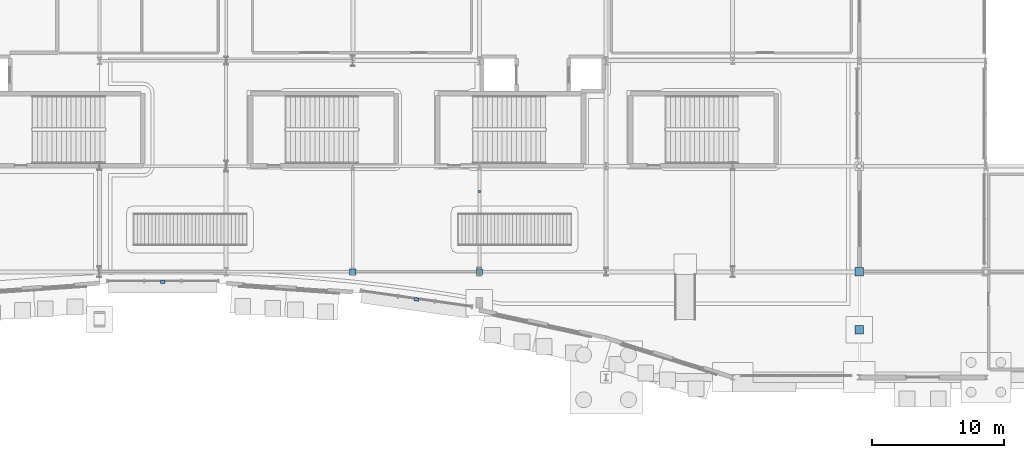
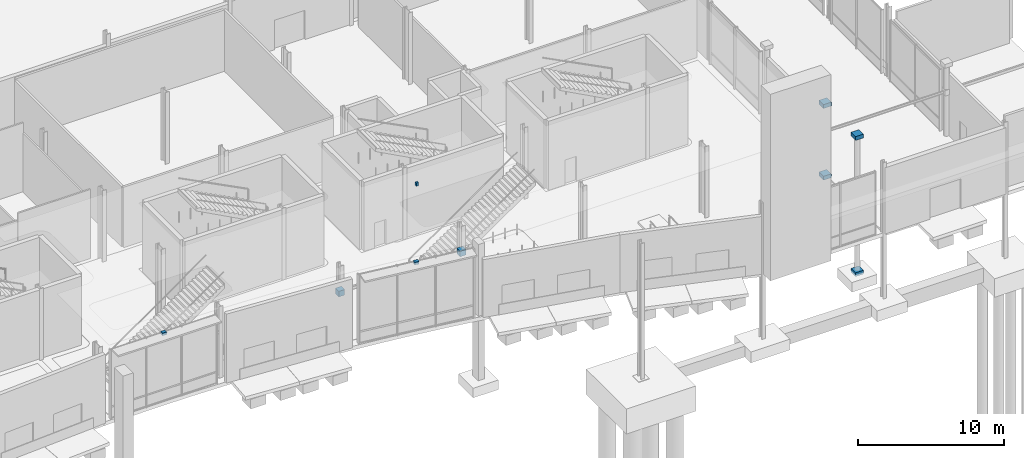
# One storey, part 94 of 124: 9 discrete accessories.
"""IFC4 building model written with IfcOpenShell, lengths in metres."""

from ifc_helpers import new_model, si_unit, direction, frame, origin, origin_2d, place, context, subcontext, project, spatial, rectangle, extrude, material, type_object, element, save


model = new_model("IFC4")

# Units and contexts
model_context = context("Model", 3, precision=1e-05, world=origin(), true_north=direction((0.0, 1.0)))
body_context = subcontext(model_context, "Body", "Model", "MODEL_VIEW")
ifc_project = project(units=[si_unit("LENGTHUNIT", "METRE"), si_unit("AREAUNIT", "SQUARE_METRE"), si_unit("VOLUMEUNIT", "CUBIC_METRE"), si_unit("PLANEANGLEUNIT", "RADIAN"), si_unit("MASSUNIT", "GRAM", prefix="KILO")], contexts=[model_context])

# Site, building, storey
site_placement = place(None, origin())
site = spatial("IfcSite", under=ifc_project, at=site_placement, CompositionType="ELEMENT")
building_placement = place(site_placement, origin())
building = spatial("IfcBuilding", under=site, at=building_placement, Name="Danafjord Basin Convention Centre", CompositionType="ELEMENT")
storey_placement = place(building_placement, origin())
storey = spatial("IfcBuildingStorey", under=building, at=storey_placement, Name="L00", CompositionType="ELEMENT", Elevation=0.0)

# Discrete accessories
ifc_material_1 = material(Name="Stainless steel EN 1.4404", Category="steel")
discrete_accessory_type_1 = type_object("IfcDiscreteAccessoryType", Name="ACC-FIN-BRK", PredefinedType="BRACKET", material=ifc_material_1)
for number, where, z_axis, x_axis, name in (
    (1, (62.39990234375, 7.25, 5.60009765625), (0.0, 0.0, 1.0), (1.0, 0.0, 0.0), "Sunshade tie-back bracket"),
    (2, (81.619384765625, 5.909423828125, 5.60009765625), (0.0, 0.0, 1.0), (0.990128157327, -0.140165017276, 0.0), "Sunshade tie-back bracket"),
):
    element("IfcDiscreteAccessory", number, at=place(storey_placement, frame(where, z_axis=z_axis, x_axis=x_axis)), inside=storey, type_object=discrete_accessory_type_1, Name=name, PredefinedType="BRACKET", context=body_context, shape_type="SweptSolid", body=[
        extrude(rectangle(XDim=0.340087890625, YDim=0.260009765625, at=origin_2d()), origin(), (0.0, 0.0, 1.0), 0.219970703125),
    ])
discrete_accessory_placement = place(storey_placement, frame((86.385009765625, 14.0830078125, 5.509765625), z_axis=(0.0, 0.0, 1.0), x_axis=(1.0, 0.0, 0.0)))
element("IfcDiscreteAccessory", 3, at=discrete_accessory_placement, inside=storey, type_object=discrete_accessory_type_1, Name="Suspended ceiling steel hanger assembly", PredefinedType="BRACKET", context=body_context, shape_type="SweptSolid", body=[
    extrude(rectangle(XDim=0.159912109375, YDim=0.159912109375, at=origin_2d()), origin(), (0.0, 0.0, 1.0), 0.280029296875),
])
ifc_material_2 = material(Name="Steel S355", Category="steel")
discrete_accessory_type_2 = type_object("IfcDiscreteAccessoryType", Name="ACC-SF-HUB", PredefinedType="BRACKET", material=ifc_material_2)
for number, where, z_axis, x_axis, name in (
    (4, (115.199951171875, 8.0, -0.16015625), (0.0, 0.0, 1.0), (1.0, 0.0, 0.0), "Tubular steel column transition collar"),
    (5, (115.199951171875, 8.0, 5.83984375), (0.0, 0.0, 1.0), (1.0, 0.0, 0.0), "Tubular steel column top cap plate"),
    (6, (115.199951171875, 3.60009765625, -5.56005859375), (0.0, 0.0, 1.0), (1.0, 0.0, 0.0), "Tubular steel column base collar"),
    (7, (115.199951171875, 3.60009765625, 5.83984375), (0.0, 0.0, 1.0), (1.0, 0.0, 0.0), "Tubular steel column top cap plate"),
):
    element("IfcDiscreteAccessory", number, at=place(storey_placement, frame(where, z_axis=z_axis, x_axis=x_axis)), inside=storey, type_object=discrete_accessory_type_2, Name=name, PredefinedType="BRACKET", context=body_context, shape_type="SweptSolid", body=[
        extrude(rectangle(XDim=0.6201171875, YDim=0.6201171875, at=origin_2d()), origin(), (0.0, 0.0, 1.0), 0.320068359375),
    ])
for number, where, z_axis, x_axis, name in (
    (8, (76.800048828125, 8.0, 3.445068359375), (0.0, 0.0, 1.0), (1.0, 0.0, 0.0), "Portal lintel end cap collar"),
    (9, (86.39990234375, 8.0, 3.445068359375), (0.0, 0.0, 1.0), (1.0, 0.0, 0.0), "Portal lintel end cap collar"),
):
    element("IfcDiscreteAccessory", number, at=place(storey_placement, frame(where, z_axis=z_axis, x_axis=x_axis)), inside=storey, type_object=discrete_accessory_type_2, Name=name, PredefinedType="BRACKET", context=body_context, shape_type="SweptSolid", body=[
        extrude(rectangle(XDim=0.4599609375, YDim=0.4599609375, at=origin_2d()), origin(), (0.0, 0.0, 1.0), 0.4599609375),
    ])

save(model, "model.ifc")
